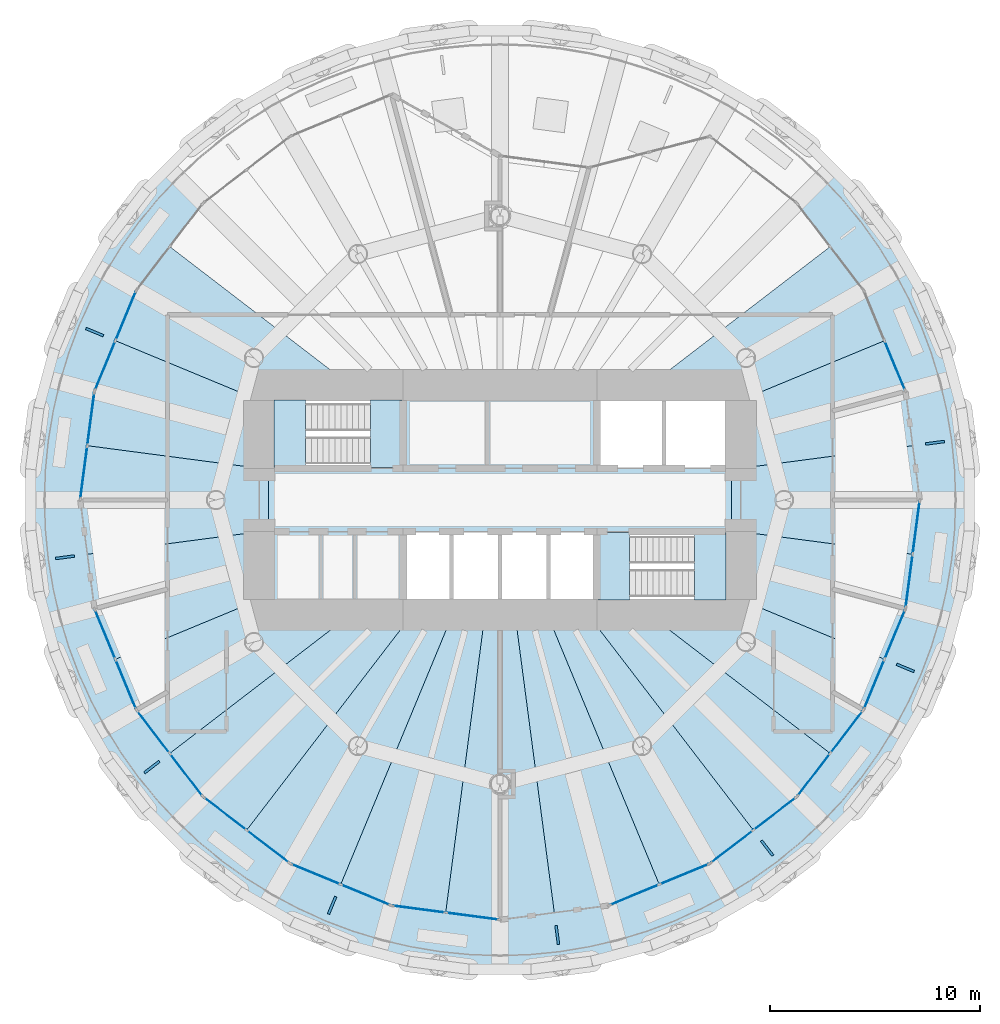
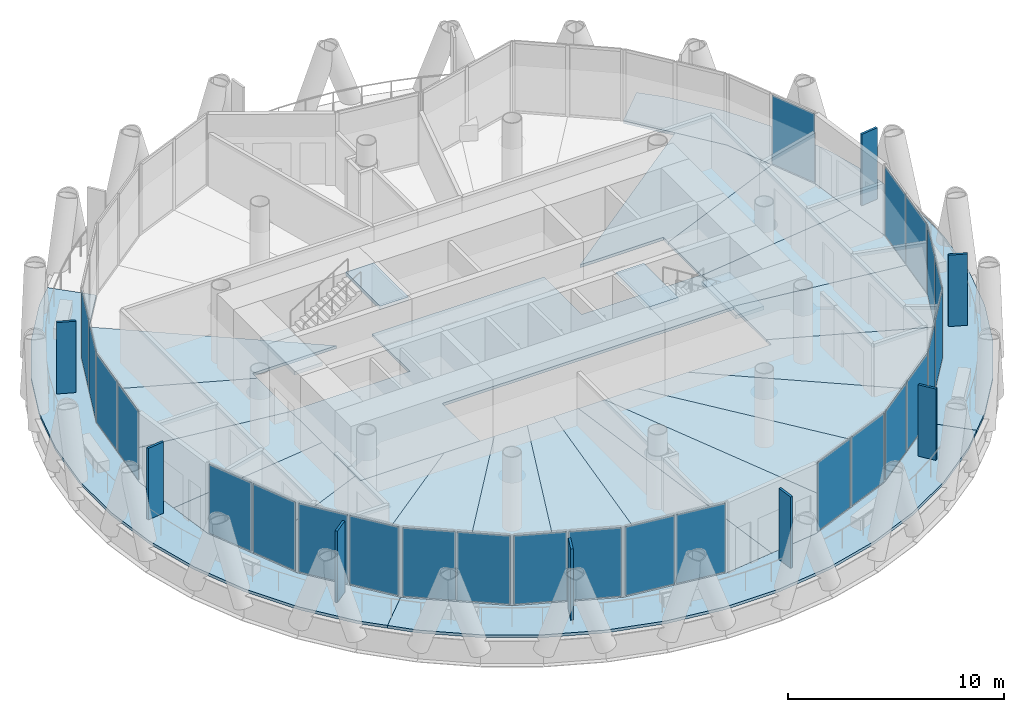
# One storey, part 7 of 14: 33 plates, 25 slabs, 15 elements without a shape of their own.
"""IFC4 building model written with IfcOpenShell, lengths in metres."""

from ifc_helpers import new_model, si_unit, direction, frame, origin, origin_2d, place, context, subcontext, project, spatial, polyline, rectangle, outline, extrude, material, layer, layer_set, type_object, element, aggregate, save


model = new_model("IFC4")

# Units and contexts
model_context = context("Model", 3, precision=1e-05, world=origin(), true_north=direction((0.0, 1.0)))
body_context = subcontext(model_context, "Body", "Model", "MODEL_VIEW")
ifc_project = project(units=[si_unit("LENGTHUNIT", "METRE"), si_unit("AREAUNIT", "SQUARE_METRE"), si_unit("VOLUMEUNIT", "CUBIC_METRE"), si_unit("PLANEANGLEUNIT", "RADIAN"), si_unit("MASSUNIT", "GRAM", prefix="KILO")], contexts=[model_context])

# Site, building, storey
site_placement = place(None, origin())
site = spatial("IfcSite", under=ifc_project, at=site_placement, CompositionType="ELEMENT")
building_placement = place(site_placement, origin())
building = spatial("IfcBuilding", under=site, at=building_placement, Name="Qaws Media Tower", CompositionType="ELEMENT")
storey_placement = place(building_placement, frame((0.0, 0.0, 248.60009765625)))
storey = spatial("IfcBuildingStorey", under=building, at=storey_placement, Name="L57", CompositionType="ELEMENT", Elevation=248.60009765625)

# Slabs
ifc_material_1 = material(Name="Concrete C35/45", Category="concrete")
ifc_layer_1 = layer(ifc_material_1, 0.159912109375)
ifc_layer_set_1 = layer_set([ifc_layer_1], Name="Composite balcony slab 160")
slab_type_1 = type_object("IfcSlabType", Name="Composite balcony slab 160", PredefinedType="FLOOR", material=ifc_layer_set_1)
slab_1_placement = place(storey_placement, frame((0.0, 0.0, -0.16015625)))
element("IfcSlab", 1, at=slab_1_placement, inside=storey, type_object=slab_type_1, Name="S2 balcony slab L57 R10 to R16, movement joints on R10 and R16", PredefinedType="FLOOR", context=body_context, shape_type="SweptSolid", body=[
    extrude(outline(polyline([(43.1962890625, 35.263671875), (41.416748046875, 37.5830078125), (39.954833984375, 40.11474609375), (38.836181640625, 42.81591796875), (38.079345703125, 45.6396484375), (37.697998046875, 48.5380859375), (37.697998046875, 51.4619140625), (38.079345703125, 54.3603515625), (38.836181640625, 57.18408203125), (39.954833984375, 59.88525390625), (41.416748046875, 62.4169921875), (43.1962890625, 64.736328125), (44.22998046875, 65.77001953125), (45.893310546875, 64.106689453125), (42.722900390625, 59.97509765625), (40.729736328125, 55.163330078125), (40.050048828125, 50.0), (40.729736328125, 44.836669921875), (42.722900390625, 40.02490234375), (45.893310546875, 35.893310546875), (44.22998046875, 34.22998046875), (43.1962890625, 35.263671875)])), origin(), (0.0, 0.0, 1.0), 0.16015625),
])
slab_2_placement = place(storey_placement, frame((0.0, 0.0, -0.16015625)))
element("IfcSlab", 2, at=slab_2_placement, inside=storey, type_object=slab_type_1, Name="S2 balcony slab L57 R16 to R22, movement joints on R16 and R22", PredefinedType="FLOOR", context=body_context, shape_type="SweptSolid", body=[
    extrude(outline(polyline([(74.736328125, 33.1962890625), (72.4169921875, 31.416748046875), (69.88525390625, 29.954833984375), (67.18408203125, 28.836181640625), (64.3603515625, 28.079345703125), (61.4619140625, 27.697998046875), (58.5380859375, 27.697998046875), (55.6396484375, 28.079345703125), (52.81591796875, 28.836181640625), (50.11474609375, 29.954833984375), (47.5830078125, 31.416748046875), (45.263671875, 33.1962890625), (44.22998046875, 34.22998046875), (45.893310546875, 35.893310546875), (50.02490234375, 32.722900390625), (54.836669921875, 30.729736328125), (60.0, 30.050048828125), (65.163330078125, 30.729736328125), (69.97509765625, 32.722900390625), (74.106689453125, 35.893310546875), (75.77001953125, 34.22998046875), (74.736328125, 33.1962890625)])), origin(), (0.0, 0.0, 1.0), 0.16015625),
])
slab_3_placement = place(storey_placement, frame((0.0, 0.0, -0.16015625)))
element("IfcSlab", 3, at=slab_3_placement, inside=storey, type_object=slab_type_1, Name="S2 balcony slab L57 R22 to R04, movement joints on R22 and R04", PredefinedType="FLOOR", context=body_context, shape_type="SweptSolid", body=[
    extrude(outline(polyline([(81.920654296875, 45.6396484375), (81.163818359375, 42.81591796875), (80.045166015625, 40.11474609375), (78.583251953125, 37.5830078125), (76.8037109375, 35.263671875), (75.77001953125, 34.22998046875), (74.106689453125, 35.893310546875), (77.277099609375, 40.02490234375), (79.270263671875, 44.836669921875), (79.949951171875, 50.0), (79.270263671875, 55.163330078125), (77.277099609375, 59.97509765625), (74.106689453125, 64.106689453125), (75.77001953125, 65.77001953125), (76.8037109375, 64.736328125), (78.583251953125, 62.4169921875), (80.045166015625, 59.88525390625), (81.163818359375, 57.18408203125), (81.920654296875, 54.3603515625), (82.302001953125, 51.4619140625), (82.302001953125, 48.5380859375), (81.920654296875, 45.6396484375)])), origin(), (0.0, 0.0, 1.0), 0.16015625),
])
ifc_material_2 = material(Name="Concrete C35/45", Category="concrete")
ifc_layer_2 = layer(ifc_material_2, 0.159912109375)
ifc_layer_set_2 = layer_set([ifc_layer_2], Name="Composite floor slab 160")
slab_type_2 = type_object("IfcSlabType", Name="Composite floor slab 160", PredefinedType="FLOOR", material=ifc_layer_set_2)
slab_4_placement = place(storey_placement, frame((0.0, 0.0, -0.16015625)))
element("IfcSlab", 4, at=slab_4_placement, inside=storey, type_object=slab_type_2, Name="S1 core floor slab L57", PredefinedType="FLOOR", context=body_context, shape_type="SweptSolid", body=[
    extrude(outline(polyline([(71.0, 51.5), (71.0, 48.5), (55.39990234375, 48.5), (55.39990234375, 45.0), (49.0, 45.0), (49.0, 51.5), (55.39990234375, 51.5), (55.39990234375, 55.0), (64.60009765625, 55.0), (64.60009765625, 51.5), (71.0, 51.5)])), origin(), (0.0, 0.0, 1.0), 0.16015625),
])
slab_5_placement = place(storey_placement, frame((0.0, 0.0, -0.16015625)))
element("IfcSlab", 5, at=slab_5_placement, inside=storey, type_object=slab_type_2, Name="S1 floor panel L57 on R01", PredefinedType="FLOOR", context=body_context, shape_type="SweptSolid", body=[
    extrude(outline(polyline([(79.949951171875, 50.0), (79.610107421875, 47.418212890625), (71.0, 48.5517578125), (71.0, 51.4482421875), (79.610107421875, 52.581787109375), (79.949951171875, 50.0)])), origin(), (0.0, 0.0, 1.0), 0.16015625),
])
slab_6_placement = place(storey_placement, frame((0.0, 0.0, -0.16015625)))
element("IfcSlab", 6, at=slab_6_placement, inside=storey, type_object=slab_type_2, Name="S1 floor panel L57 on R02", PredefinedType="FLOOR", context=body_context, shape_type="SweptSolid", body=[
    extrude(outline(polyline([(79.270263671875, 55.163330078125), (79.610107421875, 52.581787109375), (71.0, 51.4482421875), (71.0, 54.556396484375), (78.273681640625, 57.569091796875), (79.270263671875, 55.163330078125)])), origin(), (0.0, 0.0, 1.0), 0.16015625),
])
slab_7_placement = place(storey_placement, frame((0.0, 0.0, -0.16015625)))
element("IfcSlab", 7, at=slab_7_placement, inside=storey, type_object=slab_type_2, Name="S1 floor panel L57 on R03", PredefinedType="FLOOR", context=body_context, shape_type="SweptSolid", body=[
    extrude(outline(polyline([(77.277099609375, 59.97509765625), (78.273681640625, 57.569091796875), (71.0, 54.556396484375), (71.0, 55.0), (66.51611328125, 55.0), (75.69189453125, 62.041015625), (77.277099609375, 59.97509765625)])), origin(), (0.0, 0.0, 1.0), 0.16015625),
])
slab_8_placement = place(storey_placement, frame((0.0, 0.0, -0.16015625)))
element("IfcSlab", 8, at=slab_8_placement, inside=storey, type_object=slab_type_2, Name="S1 floor panel L57 on R11", PredefinedType="FLOOR", context=body_context, shape_type="SweptSolid", body=[
    extrude(outline(polyline([(42.722900390625, 59.97509765625), (44.30810546875, 62.041015625), (53.48388671875, 55.0), (49.0, 55.0), (49.0, 54.556396484375), (41.726318359375, 57.569091796875), (42.722900390625, 59.97509765625)])), origin(), (0.0, 0.0, 1.0), 0.16015625),
])
slab_9_placement = place(storey_placement, frame((0.0, 0.0, -0.16015625)))
element("IfcSlab", 9, at=slab_9_placement, inside=storey, type_object=slab_type_2, Name="S1 floor panel L57 on R12", PredefinedType="FLOOR", context=body_context, shape_type="SweptSolid", body=[
    extrude(outline(polyline([(40.729736328125, 55.163330078125), (41.726318359375, 57.569091796875), (49.0, 54.556396484375), (49.0, 51.4482421875), (40.389892578125, 52.581787109375), (40.729736328125, 55.163330078125)])), origin(), (0.0, 0.0, 1.0), 0.16015625),
])
slab_10_placement = place(storey_placement, frame((0.0, 0.0, -0.16015625)))
element("IfcSlab", 10, at=slab_10_placement, inside=storey, type_object=slab_type_2, Name="S1 floor panel L57 on R13", PredefinedType="FLOOR", context=body_context, shape_type="SweptSolid", body=[
    extrude(outline(polyline([(40.050048828125, 50.0), (40.389892578125, 52.581787109375), (49.0, 51.4482421875), (49.0, 48.5517578125), (40.389892578125, 47.418212890625), (40.050048828125, 50.0)])), origin(), (0.0, 0.0, 1.0), 0.16015625),
])
slab_11_placement = place(storey_placement, frame((0.0, 0.0, -0.16015625)))
element("IfcSlab", 11, at=slab_11_placement, inside=storey, type_object=slab_type_2, Name="S1 floor panel L57 on R14", PredefinedType="FLOOR", context=body_context, shape_type="SweptSolid", body=[
    extrude(outline(polyline([(40.729736328125, 44.836669921875), (40.389892578125, 47.418212890625), (49.0, 48.5517578125), (49.0, 45.443603515625), (41.726318359375, 42.430908203125), (40.729736328125, 44.836669921875)])), origin(), (0.0, 0.0, 1.0), 0.16015625),
])
slab_12_placement = place(storey_placement, frame((0.0, 0.0, -0.16015625)))
element("IfcSlab", 12, at=slab_12_placement, inside=storey, type_object=slab_type_2, Name="S1 floor panel L57 on R15", PredefinedType="FLOOR", context=body_context, shape_type="SweptSolid", body=[
    extrude(outline(polyline([(42.722900390625, 40.02490234375), (41.726318359375, 42.430908203125), (49.0, 45.443603515625), (49.0, 45.0), (53.48388671875, 45.0), (44.30810546875, 37.958984375), (42.722900390625, 40.02490234375)])), origin(), (0.0, 0.0, 1.0), 0.16015625),
])
slab_13_placement = place(storey_placement, frame((0.0, 0.0, -0.16015625)))
element("IfcSlab", 13, at=slab_13_placement, inside=storey, type_object=slab_type_2, Name="S1 floor panel L57 on R16", PredefinedType="FLOOR", context=body_context, shape_type="SweptSolid", body=[
    extrude(outline(polyline([(45.893310546875, 35.893310546875), (44.30810546875, 37.958984375), (53.48388671875, 45.0), (56.163330078125, 45.0), (47.958984375, 34.30810546875), (45.893310546875, 35.893310546875)])), origin(), (0.0, 0.0, 1.0), 0.16015625),
])
slab_14_placement = place(storey_placement, frame((0.0, 0.0, -0.16015625)))
element("IfcSlab", 14, at=slab_14_placement, inside=storey, type_object=slab_type_2, Name="S1 floor panel L57 on R17", PredefinedType="FLOOR", context=body_context, shape_type="SweptSolid", body=[
    extrude(outline(polyline([(50.02490234375, 32.722900390625), (47.958984375, 34.30810546875), (56.163330078125, 45.0), (57.928955078125, 45.0), (52.430908203125, 31.726318359375), (50.02490234375, 32.722900390625)])), origin(), (0.0, 0.0, 1.0), 0.16015625),
])
slab_15_placement = place(storey_placement, frame((0.0, 0.0, -0.16015625)))
element("IfcSlab", 15, at=slab_15_placement, inside=storey, type_object=slab_type_2, Name="S1 floor panel L57 on R18", PredefinedType="FLOOR", context=body_context, shape_type="SweptSolid", body=[
    extrude(outline(polyline([(54.836669921875, 30.729736328125), (52.430908203125, 31.726318359375), (57.928955078125, 45.0), (59.341796875, 45.0), (57.418212890625, 30.389892578125), (54.836669921875, 30.729736328125)])), origin(), (0.0, 0.0, 1.0), 0.16015625),
])
slab_16_placement = place(storey_placement, frame((0.0, 0.0, -0.16015625)))
element("IfcSlab", 16, at=slab_16_placement, inside=storey, type_object=slab_type_2, Name="S1 floor panel L57 on R19", PredefinedType="FLOOR", context=body_context, shape_type="SweptSolid", body=[
    extrude(outline(polyline([(60.0, 30.050048828125), (57.418212890625, 30.389892578125), (59.341796875, 45.0), (60.658203125, 45.0), (62.581787109375, 30.389892578125), (60.0, 30.050048828125)])), origin(), (0.0, 0.0, 1.0), 0.16015625),
])
slab_17_placement = place(storey_placement, frame((0.0, 0.0, -0.16015625)))
element("IfcSlab", 17, at=slab_17_placement, inside=storey, type_object=slab_type_2, Name="S1 floor panel L57 on R20", PredefinedType="FLOOR", context=body_context, shape_type="SweptSolid", body=[
    extrude(outline(polyline([(65.163330078125, 30.729736328125), (62.581787109375, 30.389892578125), (60.658203125, 45.0), (62.071044921875, 45.0), (67.569091796875, 31.726318359375), (65.163330078125, 30.729736328125)])), origin(), (0.0, 0.0, 1.0), 0.16015625),
])
slab_18_placement = place(storey_placement, frame((0.0, 0.0, -0.16015625)))
element("IfcSlab", 18, at=slab_18_placement, inside=storey, type_object=slab_type_2, Name="S1 floor panel L57 on R21", PredefinedType="FLOOR", context=body_context, shape_type="SweptSolid", body=[
    extrude(outline(polyline([(69.97509765625, 32.722900390625), (67.569091796875, 31.726318359375), (62.071044921875, 45.0), (63.836669921875, 45.0), (72.041015625, 34.30810546875), (69.97509765625, 32.722900390625)])), origin(), (0.0, 0.0, 1.0), 0.16015625),
])
slab_19_placement = place(storey_placement, frame((0.0, 0.0, -0.16015625)))
element("IfcSlab", 19, at=slab_19_placement, inside=storey, type_object=slab_type_2, Name="S1 floor panel L57 on R22", PredefinedType="FLOOR", context=body_context, shape_type="SweptSolid", body=[
    extrude(outline(polyline([(74.106689453125, 35.893310546875), (72.041015625, 34.30810546875), (63.836669921875, 45.0), (66.51611328125, 45.0), (75.69189453125, 37.958984375), (74.106689453125, 35.893310546875)])), origin(), (0.0, 0.0, 1.0), 0.16015625),
])
slab_20_placement = place(storey_placement, frame((0.0, 0.0, -0.16015625)))
element("IfcSlab", 20, at=slab_20_placement, inside=storey, type_object=slab_type_2, Name="S1 floor panel L57 on R23", PredefinedType="FLOOR", context=body_context, shape_type="SweptSolid", body=[
    extrude(outline(polyline([(77.277099609375, 40.02490234375), (75.69189453125, 37.958984375), (66.51611328125, 45.0), (71.0, 45.0), (71.0, 45.443603515625), (78.273681640625, 42.430908203125), (77.277099609375, 40.02490234375)])), origin(), (0.0, 0.0, 1.0), 0.16015625),
])
slab_21_placement = place(storey_placement, frame((0.0, 0.0, -0.16015625)))
element("IfcSlab", 21, at=slab_21_placement, inside=storey, type_object=slab_type_2, Name="S1 floor panel L57 on R24", PredefinedType="FLOOR", context=body_context, shape_type="SweptSolid", body=[
    extrude(outline(polyline([(78.273681640625, 42.430908203125), (71.0, 45.443603515625), (71.0, 48.5517578125), (79.610107421875, 47.418212890625), (79.270263671875, 44.836669921875), (78.273681640625, 42.430908203125)])), origin(), (0.0, 0.0, 1.0), 0.16015625),
])

# Curtain wall, plate
ifc_material_3 = material(Name="Aluminium and clear glass", Category="aluminium")
curtain_wall_type = type_object("IfcCurtainWallType", Name="Unitised curtain wall CW-C", PredefinedType="NOTDEFINED", material=ifc_material_3)
curtain_wall_1_placement = place(storey_placement, origin())
curtain_wall_1 = element("IfcCurtainWall", 22, at=curtain_wall_1_placement, inside=storey, type_object=curtain_wall_type, Name="CWC curtain wall L57-02", PredefinedType="NOTDEFINED")
ifc_material_4 = material(Name="Clear laminated double glazing", Category="glass")
ifc_layer_3 = layer(ifc_material_4, 0.031982421875)
ifc_layer_set_3 = layer_set([ifc_layer_3], Name="Curtain wall glass unit 32")
plate_type_1 = type_object("IfcPlateType", Name="Curtain wall glass unit 32", PredefinedType="CURTAIN_PANEL", material=ifc_layer_set_3)
plate_1_placement = place(storey_placement, frame((78.764404296875, 56.384765625, 0.080078125), z_axis=(0.0, 0.0, 1.0), x_axis=(-0.382683365464, 0.923879560223, 0.0)))
plate_1 = element("IfcPlate", 23, at=plate_1_placement, type_object=plate_type_1, Name="CWC panel 1.1", PredefinedType="CURTAIN_PANEL", context=body_context, shape_type="SweptSolid", body=[
    extrude(rectangle(XDim=2.48388671875, YDim=0.031982421875, at=origin_2d()), origin(), (0.0, 0.0, 1.0), 3.8798828125),
])
aggregate(curtain_wall_1, [plate_1])

# Curtain wall, plates
curtain_wall_2_placement = place(storey_placement, origin())
curtain_wall_2 = element("IfcCurtainWall", 24, at=curtain_wall_2_placement, inside=storey, type_object=curtain_wall_type, Name="CWC curtain wall L57-11", PredefinedType="NOTDEFINED")
plate_2_placement = place(storey_placement, frame((42.216796875, 58.753662109375, 0.080078125), z_axis=(0.0, 0.0, 1.0), x_axis=(-0.382683365464, -0.923879560223, 0.0)))
plate_2 = element("IfcPlate", 25, at=plate_2_placement, type_object=plate_type_1, Name="CWC panel 1.1", PredefinedType="CURTAIN_PANEL", context=body_context, shape_type="SweptSolid", body=[
    extrude(rectangle(XDim=2.48388671875, YDim=0.031982421875, at=origin_2d()), origin(), (0.0, 0.0, 1.0), 3.8798828125),
])
plate_3_placement = place(storey_placement, frame((41.235595703125, 56.384765625, 0.080078125), z_axis=(0.0, 0.0, 1.0), x_axis=(-0.382683365464, -0.923879560223, 0.0)))
plate_3 = element("IfcPlate", 26, at=plate_3_placement, type_object=plate_type_1, Name="CWC panel 2.1", PredefinedType="CURTAIN_PANEL", context=body_context, shape_type="SweptSolid", body=[
    extrude(rectangle(XDim=2.48388671875, YDim=0.031982421875, at=origin_2d()), origin(), (0.0, 0.0, 1.0), 3.8798828125),
])
aggregate(curtain_wall_2, [plate_2, plate_3])

curtain_wall_3_placement = place(storey_placement, origin())
curtain_wall_3 = element("IfcCurtainWall", 27, at=curtain_wall_3_placement, inside=storey, type_object=curtain_wall_type, Name="CWC curtain wall L57-12", PredefinedType="NOTDEFINED")
plate_4_placement = place(storey_placement, frame((40.55712890625, 53.852783203125, 0.080078125), z_axis=(0.0, 0.0, 1.0), x_axis=(-0.13052623522, -0.991444855713, 0.0)))
plate_4 = element("IfcPlate", 28, at=plate_4_placement, type_object=plate_type_1, Name="CWC panel 1.1", PredefinedType="CURTAIN_PANEL", context=body_context, shape_type="SweptSolid", body=[
    extrude(rectangle(XDim=2.48388671875, YDim=0.031982421875, at=origin_2d()), origin(), (0.0, 0.0, 1.0), 3.8798828125),
])
plate_5_placement = place(storey_placement, frame((40.22265625, 51.310791015625, 0.080078125), z_axis=(0.0, 0.0, 1.0), x_axis=(-0.13052623522, -0.991444855713, 0.0)))
plate_5 = element("IfcPlate", 29, at=plate_5_placement, type_object=plate_type_1, Name="CWC panel 2.1", PredefinedType="CURTAIN_PANEL", context=body_context, shape_type="SweptSolid", body=[
    extrude(rectangle(XDim=2.48388671875, YDim=0.031982421875, at=origin_2d()), origin(), (0.0, 0.0, 1.0), 3.8798828125),
])
aggregate(curtain_wall_3, [plate_4, plate_5])

curtain_wall_4_placement = place(storey_placement, origin())
curtain_wall_4 = element("IfcCurtainWall", 30, at=curtain_wall_4_placement, inside=storey, type_object=curtain_wall_type, Name="CWC curtain wall L57-14", PredefinedType="NOTDEFINED")
plate_6_placement = place(storey_placement, frame((41.235595703125, 43.615234375, 0.080078125), z_axis=(0.0, 0.0, 1.0), x_axis=(0.382683365464, -0.923879560223, 0.0)))
plate_6 = element("IfcPlate", 31, at=plate_6_placement, type_object=plate_type_1, Name="CWC panel 1.1", PredefinedType="CURTAIN_PANEL", context=body_context, shape_type="SweptSolid", body=[
    extrude(rectangle(XDim=2.48388671875, YDim=0.031982421875, at=origin_2d()), origin(), (0.0, 0.0, 1.0), 3.8798828125),
])
plate_7_placement = place(storey_placement, frame((42.216796875, 41.246337890625, 0.080078125), z_axis=(0.0, 0.0, 1.0), x_axis=(0.382683365464, -0.923879560223, 0.0)))
plate_7 = element("IfcPlate", 32, at=plate_7_placement, type_object=plate_type_1, Name="CWC panel 2.1", PredefinedType="CURTAIN_PANEL", context=body_context, shape_type="SweptSolid", body=[
    extrude(rectangle(XDim=2.48388671875, YDim=0.031982421875, at=origin_2d()), origin(), (0.0, 0.0, 1.0), 3.8798828125),
])
aggregate(curtain_wall_4, [plate_6, plate_7])

curtain_wall_5_placement = place(storey_placement, origin())
curtain_wall_5 = element("IfcCurtainWall", 33, at=curtain_wall_5_placement, inside=storey, type_object=curtain_wall_type, Name="CWC curtain wall L57-15", PredefinedType="NOTDEFINED")
plate_8_placement = place(storey_placement, frame((43.527587890625, 38.97607421875, 0.080078125), z_axis=(0.0, 0.0, 1.0), x_axis=(0.608761513321, -0.793353275596, 0.0)))
plate_8 = element("IfcPlate", 34, at=plate_8_placement, type_object=plate_type_1, Name="CWC panel 1.1", PredefinedType="CURTAIN_PANEL", context=body_context, shape_type="SweptSolid", body=[
    extrude(rectangle(XDim=2.48388671875, YDim=0.031982421875, at=origin_2d()), origin(), (0.0, 0.0, 1.0), 3.8798828125),
])
plate_9_placement = place(storey_placement, frame((45.08837890625, 36.942138671875, 0.080078125), z_axis=(0.0, 0.0, 1.0), x_axis=(0.608761513321, -0.793353275596, 0.0)))
plate_9 = element("IfcPlate", 35, at=plate_9_placement, type_object=plate_type_1, Name="CWC panel 2.1", PredefinedType="CURTAIN_PANEL", context=body_context, shape_type="SweptSolid", body=[
    extrude(rectangle(XDim=2.48388671875, YDim=0.031982421875, at=origin_2d()), origin(), (0.0, 0.0, 1.0), 3.8798828125),
])
aggregate(curtain_wall_5, [plate_8, plate_9])

curtain_wall_6_placement = place(storey_placement, origin())
curtain_wall_6 = element("IfcCurtainWall", 36, at=curtain_wall_6_placement, inside=storey, type_object=curtain_wall_type, Name="CWC curtain wall L57-16", PredefinedType="NOTDEFINED")
plate_10_placement = place(storey_placement, frame((46.942138671875, 35.08837890625, 0.080078125), z_axis=(0.0, 0.0, 1.0), x_axis=(0.793353275596, -0.608761513321, 0.0)))
plate_10 = element("IfcPlate", 37, at=plate_10_placement, type_object=plate_type_1, Name="CWC panel 1.1", PredefinedType="CURTAIN_PANEL", context=body_context, shape_type="SweptSolid", body=[
    extrude(rectangle(XDim=2.48388671875, YDim=0.031982421875, at=origin_2d()), origin(), (0.0, 0.0, 1.0), 3.8798828125),
])
plate_11_placement = place(storey_placement, frame((48.97607421875, 33.527587890625, 0.080078125), z_axis=(0.0, 0.0, 1.0), x_axis=(0.793353275596, -0.608761513321, 0.0)))
plate_11 = element("IfcPlate", 38, at=plate_11_placement, type_object=plate_type_1, Name="CWC panel 2.1", PredefinedType="CURTAIN_PANEL", context=body_context, shape_type="SweptSolid", body=[
    extrude(rectangle(XDim=2.48388671875, YDim=0.031982421875, at=origin_2d()), origin(), (0.0, 0.0, 1.0), 3.8798828125),
])
aggregate(curtain_wall_6, [plate_10, plate_11])

curtain_wall_7_placement = place(storey_placement, origin())
curtain_wall_7 = element("IfcCurtainWall", 39, at=curtain_wall_7_placement, inside=storey, type_object=curtain_wall_type, Name="CWC curtain wall L57-17", PredefinedType="NOTDEFINED")
plate_12_placement = place(storey_placement, frame((51.246337890625, 32.216796875, 0.080078125), z_axis=(0.0, 0.0, 1.0), x_axis=(0.923879560223, -0.382683365464, 0.0)))
plate_12 = element("IfcPlate", 40, at=plate_12_placement, type_object=plate_type_1, Name="CWC panel 1.1", PredefinedType="CURTAIN_PANEL", context=body_context, shape_type="SweptSolid", body=[
    extrude(rectangle(XDim=2.48388671875, YDim=0.031982421875, at=origin_2d()), origin(), (0.0, 0.0, 1.0), 3.8798828125),
])
plate_13_placement = place(storey_placement, frame((53.615234375, 31.235595703125, 0.080078125), z_axis=(0.0, 0.0, 1.0), x_axis=(0.923879560223, -0.382683365464, 0.0)))
plate_13 = element("IfcPlate", 41, at=plate_13_placement, type_object=plate_type_1, Name="CWC panel 2.1", PredefinedType="CURTAIN_PANEL", context=body_context, shape_type="SweptSolid", body=[
    extrude(rectangle(XDim=2.48388671875, YDim=0.031982421875, at=origin_2d()), origin(), (0.0, 0.0, 1.0), 3.8798828125),
])
aggregate(curtain_wall_7, [plate_12, plate_13])

curtain_wall_8_placement = place(storey_placement, origin())
curtain_wall_8 = element("IfcCurtainWall", 42, at=curtain_wall_8_placement, inside=storey, type_object=curtain_wall_type, Name="CWC curtain wall L57-18", PredefinedType="NOTDEFINED")
plate_14_placement = place(storey_placement, frame((56.147216796875, 30.55712890625, 0.080078125), z_axis=(0.0, 0.0, 1.0), x_axis=(0.991444855713, -0.13052623522, 0.0)))
plate_14 = element("IfcPlate", 43, at=plate_14_placement, type_object=plate_type_1, Name="CWC panel 1.1", PredefinedType="CURTAIN_PANEL", context=body_context, shape_type="SweptSolid", body=[
    extrude(rectangle(XDim=2.48388671875, YDim=0.031982421875, at=origin_2d()), origin(), (0.0, 0.0, 1.0), 3.8798828125),
])
plate_15_placement = place(storey_placement, frame((58.689208984375, 30.22265625, 0.080078125), z_axis=(0.0, 0.0, 1.0), x_axis=(0.991444855713, -0.13052623522, 0.0)))
plate_15 = element("IfcPlate", 44, at=plate_15_placement, type_object=plate_type_1, Name="CWC panel 2.1", PredefinedType="CURTAIN_PANEL", context=body_context, shape_type="SweptSolid", body=[
    extrude(rectangle(XDim=2.48388671875, YDim=0.031982421875, at=origin_2d()), origin(), (0.0, 0.0, 1.0), 3.8798828125),
])
aggregate(curtain_wall_8, [plate_14, plate_15])

curtain_wall_9_placement = place(storey_placement, origin())
curtain_wall_9 = element("IfcCurtainWall", 45, at=curtain_wall_9_placement, inside=storey, type_object=curtain_wall_type, Name="CWC curtain wall L57-20", PredefinedType="NOTDEFINED")
plate_16_placement = place(storey_placement, frame((66.384765625, 31.235595703125, 0.080078125), z_axis=(0.0, 0.0, 1.0), x_axis=(0.923879560223, 0.382683365464, 0.0)))
plate_16 = element("IfcPlate", 46, at=plate_16_placement, type_object=plate_type_1, Name="CWC panel 1.1", PredefinedType="CURTAIN_PANEL", context=body_context, shape_type="SweptSolid", body=[
    extrude(rectangle(XDim=2.48388671875, YDim=0.031982421875, at=origin_2d()), origin(), (0.0, 0.0, 1.0), 3.8798828125),
])
plate_17_placement = place(storey_placement, frame((68.753662109375, 32.216796875, 0.080078125), z_axis=(0.0, 0.0, 1.0), x_axis=(0.923879560223, 0.382683365464, 0.0)))
plate_17 = element("IfcPlate", 47, at=plate_17_placement, type_object=plate_type_1, Name="CWC panel 2.1", PredefinedType="CURTAIN_PANEL", context=body_context, shape_type="SweptSolid", body=[
    extrude(rectangle(XDim=2.48388671875, YDim=0.031982421875, at=origin_2d()), origin(), (0.0, 0.0, 1.0), 3.8798828125),
])
aggregate(curtain_wall_9, [plate_16, plate_17])

curtain_wall_10_placement = place(storey_placement, origin())
curtain_wall_10 = element("IfcCurtainWall", 48, at=curtain_wall_10_placement, inside=storey, type_object=curtain_wall_type, Name="CWC curtain wall L57-21", PredefinedType="NOTDEFINED")
plate_18_placement = place(storey_placement, frame((71.02392578125, 33.527587890625, 0.080078125), z_axis=(0.0, 0.0, 1.0), x_axis=(0.793353275596, 0.608761513321, 0.0)))
plate_18 = element("IfcPlate", 49, at=plate_18_placement, type_object=plate_type_1, Name="CWC panel 1.1", PredefinedType="CURTAIN_PANEL", context=body_context, shape_type="SweptSolid", body=[
    extrude(rectangle(XDim=2.48388671875, YDim=0.031982421875, at=origin_2d()), origin(), (0.0, 0.0, 1.0), 3.8798828125),
])
plate_19_placement = place(storey_placement, frame((73.057861328125, 35.08837890625, 0.080078125), z_axis=(0.0, 0.0, 1.0), x_axis=(0.793353275596, 0.608761513321, 0.0)))
plate_19 = element("IfcPlate", 50, at=plate_19_placement, type_object=plate_type_1, Name="CWC panel 2.1", PredefinedType="CURTAIN_PANEL", context=body_context, shape_type="SweptSolid", body=[
    extrude(rectangle(XDim=2.48388671875, YDim=0.031982421875, at=origin_2d()), origin(), (0.0, 0.0, 1.0), 3.8798828125),
])
aggregate(curtain_wall_10, [plate_18, plate_19])

curtain_wall_11_placement = place(storey_placement, origin())
curtain_wall_11 = element("IfcCurtainWall", 51, at=curtain_wall_11_placement, inside=storey, type_object=curtain_wall_type, Name="CWC curtain wall L57-22", PredefinedType="NOTDEFINED")
plate_20_placement = place(storey_placement, frame((74.91162109375, 36.942138671875, 0.080078125), z_axis=(0.0, 0.0, 1.0), x_axis=(0.608761513321, 0.793353275596, 0.0)))
plate_20 = element("IfcPlate", 52, at=plate_20_placement, type_object=plate_type_1, Name="CWC panel 1.1", PredefinedType="CURTAIN_PANEL", context=body_context, shape_type="SweptSolid", body=[
    extrude(rectangle(XDim=2.48388671875, YDim=0.031982421875, at=origin_2d()), origin(), (0.0, 0.0, 1.0), 3.8798828125),
])
plate_21_placement = place(storey_placement, frame((76.472412109375, 38.97607421875, 0.080078125), z_axis=(0.0, 0.0, 1.0), x_axis=(0.608761513321, 0.793353275596, 0.0)))
plate_21 = element("IfcPlate", 53, at=plate_21_placement, type_object=plate_type_1, Name="CWC panel 2.1", PredefinedType="CURTAIN_PANEL", context=body_context, shape_type="SweptSolid", body=[
    extrude(rectangle(XDim=2.48388671875, YDim=0.031982421875, at=origin_2d()), origin(), (0.0, 0.0, 1.0), 3.8798828125),
])
aggregate(curtain_wall_11, [plate_20, plate_21])

curtain_wall_12_placement = place(storey_placement, origin())
curtain_wall_12 = element("IfcCurtainWall", 54, at=curtain_wall_12_placement, inside=storey, type_object=curtain_wall_type, Name="CWC curtain wall L57-23", PredefinedType="NOTDEFINED")
plate_22_placement = place(storey_placement, frame((77.783203125, 41.246337890625, 0.080078125), z_axis=(0.0, 0.0, 1.0), x_axis=(0.382683365464, 0.923879560223, 0.0)))
plate_22 = element("IfcPlate", 55, at=plate_22_placement, type_object=plate_type_1, Name="CWC panel 1.1", PredefinedType="CURTAIN_PANEL", context=body_context, shape_type="SweptSolid", body=[
    extrude(rectangle(XDim=2.48388671875, YDim=0.031982421875, at=origin_2d()), origin(), (0.0, 0.0, 1.0), 3.8798828125),
])
plate_23_placement = place(storey_placement, frame((78.764404296875, 43.615234375, 0.080078125), z_axis=(0.0, 0.0, 1.0), x_axis=(0.382683365464, 0.923879560223, 0.0)))
plate_23 = element("IfcPlate", 56, at=plate_23_placement, type_object=plate_type_1, Name="CWC panel 2.1", PredefinedType="CURTAIN_PANEL", context=body_context, shape_type="SweptSolid", body=[
    extrude(rectangle(XDim=2.48388671875, YDim=0.031982421875, at=origin_2d()), origin(), (0.0, 0.0, 1.0), 3.8798828125),
])
aggregate(curtain_wall_12, [plate_22, plate_23])

curtain_wall_13_placement = place(storey_placement, origin())
curtain_wall_13 = element("IfcCurtainWall", 57, at=curtain_wall_13_placement, inside=storey, type_object=curtain_wall_type, Name="CWC curtain wall L57-24", PredefinedType="NOTDEFINED")
plate_24_placement = place(storey_placement, frame((79.44287109375, 46.147216796875, 0.080078125), z_axis=(0.0, 0.0, 1.0), x_axis=(0.13052623522, 0.991444855713, 0.0)))
plate_24 = element("IfcPlate", 58, at=plate_24_placement, type_object=plate_type_1, Name="CWC panel 1.1", PredefinedType="CURTAIN_PANEL", context=body_context, shape_type="SweptSolid", body=[
    extrude(rectangle(XDim=2.48388671875, YDim=0.031982421875, at=origin_2d()), origin(), (0.0, 0.0, 1.0), 3.8798828125),
])
plate_25_placement = place(storey_placement, frame((79.77734375, 48.689208984375, 0.080078125), z_axis=(0.0, 0.0, 1.0), x_axis=(0.13052623522, 0.991444855713, 0.0)))
plate_25 = element("IfcPlate", 59, at=plate_25_placement, type_object=plate_type_1, Name="CWC panel 2.1", PredefinedType="CURTAIN_PANEL", context=body_context, shape_type="SweptSolid", body=[
    extrude(rectangle(XDim=2.48388671875, YDim=0.031982421875, at=origin_2d()), origin(), (0.0, 0.0, 1.0), 3.8798828125),
])
aggregate(curtain_wall_13, [plate_24, plate_25])

# Plates
ifc_material_5 = material(Name="Precast concrete screen fin", Category="concrete")
ifc_layer_4 = layer(ifc_material_5, 0.1201171875)
ifc_layer_set_4 = layer_set([ifc_layer_4], Name="Screen fin 120x900")
plate_type_2 = type_object("IfcPlateType", Name="Screen fin 120x900", PredefinedType="USERDEFINED", material=ifc_layer_set_4)
for number, where, z_axis, x_axis, name in (
    (60, (80.671630859375, 52.721435546875, 0.0), (0.0, 0.0, 1.0), (0.991444861374, 0.13052619222, 0.0), "SCR1 screen fin L57-01"),
    (61, (40.737060546875, 57.97900390625, 0.0), (0.0, 0.0, 1.0), (-0.923879532511, 0.382683432365, 0.0), "SCR1 screen fin L57-06"),
    (62, (39.328369140625, 47.278564453125, 0.0), (0.0, 0.0, 1.0), (-0.991444861374, -0.13052619222, 0.0), "SCR1 screen fin L57-07"),
    (63, (43.45849609375, 37.307373046875, 0.0), (0.0, 0.0, 1.0), (-0.793353340291, -0.608761429009, 0.0), "SCR1 screen fin L57-08"),
    (64, (52.02099609375, 30.737060546875, 0.0), (0.0, 0.0, 1.0), (-0.382683432365, -0.923879532511, 0.0), "SCR1 screen fin L57-09"),
    (65, (62.721435546875, 29.328369140625, 0.0), (0.0, 0.0, 1.0), (0.13052619222, -0.991444861374, 0.0), "SCR1 screen fin L57-10"),
    (66, (72.692626953125, 33.45849609375, 0.0), (0.0, 0.0, 1.0), (0.608761429009, -0.793353340291, 0.0), "SCR1 screen fin L57-11"),
    (67, (79.262939453125, 42.02099609375, 0.0), (0.0, 0.0, 1.0), (0.923879532511, -0.382683432365, 0.0), "SCR1 screen fin L57-12"),
):
    element("IfcPlate", number, at=place(storey_placement, frame(where, z_axis=z_axis, x_axis=x_axis)), inside=storey, type_object=plate_type_2, Name=name, ObjectType="SCREEN", PredefinedType="USERDEFINED", context=body_context, shape_type="SweptSolid", body=[
        extrude(rectangle(XDim=0.89990234375, YDim=0.1201171875, at=origin_2d()), origin(), (0.0, 0.0, 1.0), 4.0400390625),
    ])

# Stair, slabs
ifc_material_6 = material(Name="Concrete C40/50", Category="concrete")
stair_type = type_object("IfcStairType", Name="Exit stair", PredefinedType="HALF_TURN_STAIR", material=ifc_material_6)
stair_1_placement = place(storey_placement, origin())
stair_1 = element("IfcStair", 68, at=stair_1_placement, inside=storey, type_object=stair_type, Name="S1 exit stair L57", PredefinedType="HALF_TURN_STAIR")
ifc_material_7 = material(Name="Concrete C40/50", Category="concrete")
ifc_layer_5 = layer(ifc_material_7, 0.199951171875)
ifc_layer_set_5 = layer_set([ifc_layer_5], Name="Stair landing 200")
slab_type_3 = type_object("IfcSlabType", Name="Stair landing 200", PredefinedType="LANDING", material=ifc_layer_set_5)
slab_22_placement = place(storey_placement, frame((0.0, 0.0, 1.89990234375)))
slab_22 = element("IfcSlab", 69, at=slab_22_placement, type_object=slab_type_3, Name="S1 landing 1", PredefinedType="LANDING", context=body_context, shape_type="SweptSolid", body=[
    extrude(outline(polyline([(49.25, 51.550048828125), (50.760009765625, 51.550048828125), (50.760009765625, 54.75), (49.25, 54.75), (49.25, 51.550048828125)])), origin(), (0.0, 0.0, 1.0), 0.199951171875),
])
slab_23_placement = place(storey_placement, frame((0.0, 0.0, 4.0)))
slab_23 = element("IfcSlab", 70, at=slab_23_placement, type_object=slab_type_3, Name="S1 landing 2", PredefinedType="LANDING", context=body_context, shape_type="SweptSolid", body=[
    extrude(outline(polyline([(53.840087890625, 51.550048828125), (55.35009765625, 51.550048828125), (55.35009765625, 54.75), (53.840087890625, 54.75), (53.840087890625, 51.550048828125)])), origin(), (0.0, 0.0, 1.0), 0.199951171875),
])
aggregate(stair_1, [slab_22, slab_23])

stair_2_placement = place(storey_placement, origin())
stair_2 = element("IfcStair", 71, at=stair_2_placement, inside=storey, type_object=stair_type, Name="S2 exit stair L57", PredefinedType="HALF_TURN_STAIR")
slab_24_placement = place(storey_placement, frame((0.0, 0.0, 1.89990234375)))
slab_24 = element("IfcSlab", 72, at=slab_24_placement, type_object=slab_type_3, Name="S2 landing 1", PredefinedType="LANDING", context=body_context, shape_type="SweptSolid", body=[
    extrude(outline(polyline([(69.239990234375, 45.25), (70.75, 45.25), (70.75, 48.449951171875), (69.239990234375, 48.449951171875), (69.239990234375, 45.25)])), origin(), (0.0, 0.0, 1.0), 0.199951171875),
])
slab_25_placement = place(storey_placement, frame((0.0, 0.0, 4.0)))
slab_25 = element("IfcSlab", 73, at=slab_25_placement, type_object=slab_type_3, Name="S2 landing 2", PredefinedType="LANDING", context=body_context, shape_type="SweptSolid", body=[
    extrude(outline(polyline([(64.64990234375, 45.25), (66.159912109375, 45.25), (66.159912109375, 48.449951171875), (64.64990234375, 48.449951171875), (64.64990234375, 45.25)])), origin(), (0.0, 0.0, 1.0), 0.199951171875),
])
aggregate(stair_2, [slab_24, slab_25])

save(model, "model.ifc")
